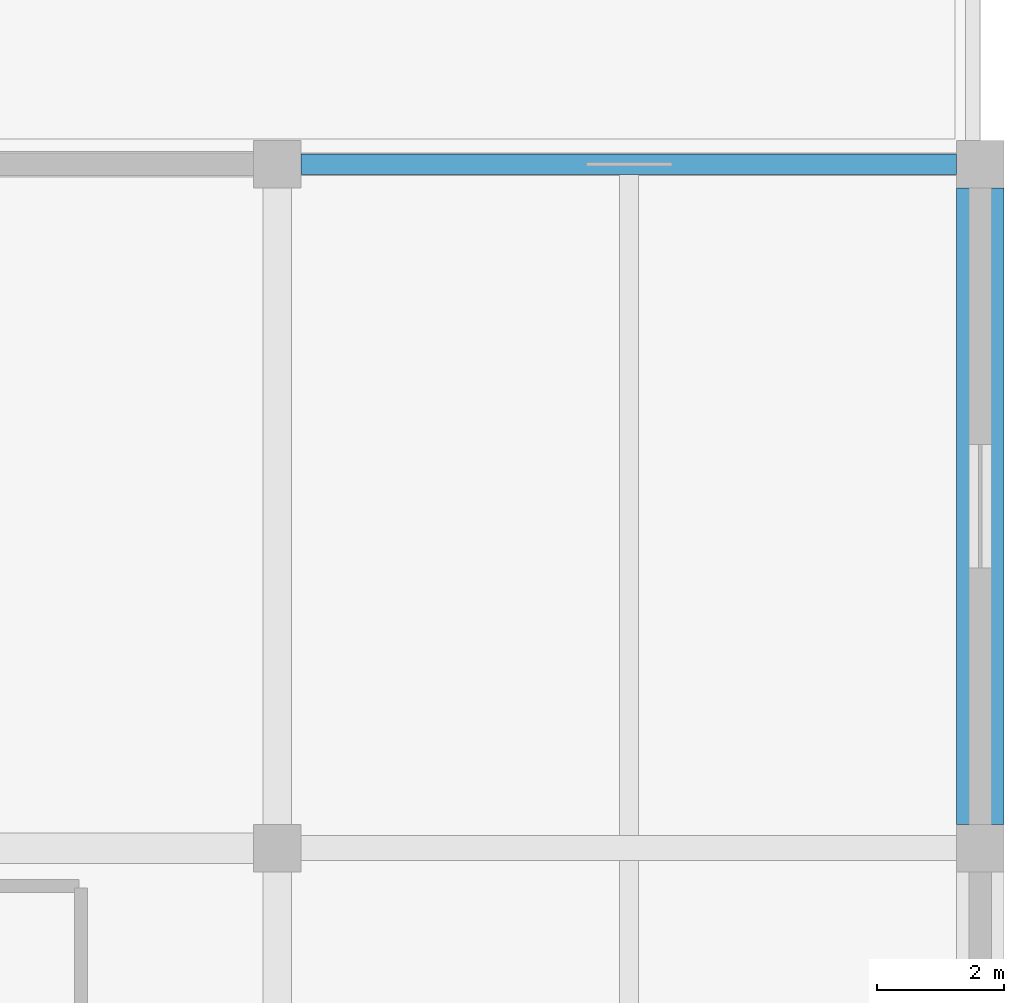
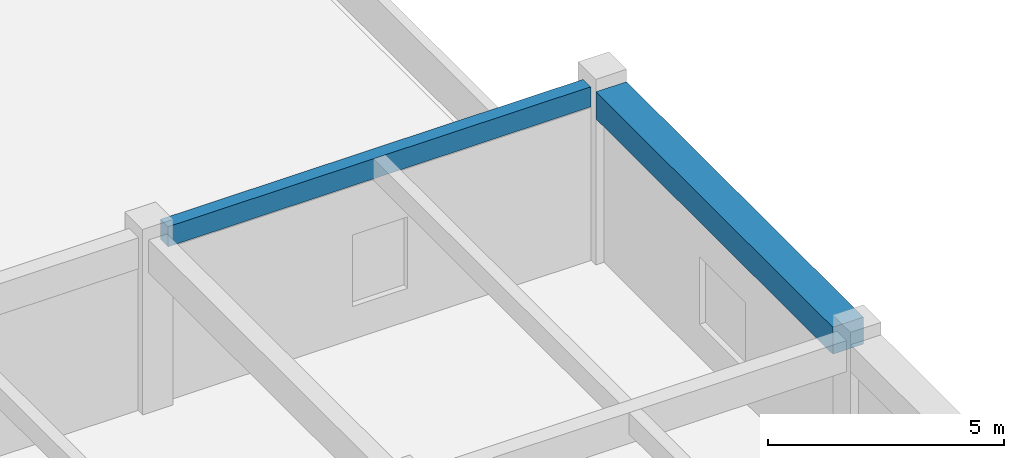
# One storey, part 33 of 68: 2 beams.
"""IFC4 building model written with IfcOpenShell, lengths in metres."""

from ifc_helpers import new_model, si_unit, direction, frame, origin, origin_2d, place, context, subcontext, project, spatial, rectangle, extrude, material, material_profile, profile_set, type_object, element, save


model = new_model("IFC4")

# Units and contexts
model_context = context("Model", 3, precision=1e-05, world=origin(), true_north=direction((0.0, 1.0)))
body_context = subcontext(model_context, "Body", "Model", "MODEL_VIEW")
ifc_project = project(units=[si_unit("LENGTHUNIT", "METRE"), si_unit("AREAUNIT", "SQUARE_METRE"), si_unit("VOLUMEUNIT", "CUBIC_METRE"), si_unit("PLANEANGLEUNIT", "RADIAN"), si_unit("MASSUNIT", "GRAM", prefix="KILO")], contexts=[model_context])

# Site, building, storey
site_placement = place(None, origin())
site = spatial("IfcSite", under=ifc_project, at=site_placement, CompositionType="ELEMENT")
building_placement = place(site_placement, origin())
building = spatial("IfcBuilding", under=site, at=building_placement, Name="Miralva Faculty of Natural Sciences", CompositionType="ELEMENT")
storey_placement = place(building_placement, frame((0.0, 0.0, 5.39990234375)))
storey = spatial("IfcBuildingStorey", under=building, at=storey_placement, Name="L01", CompositionType="ELEMENT", Elevation=5.39990234375)

# Beams
ifc_material = material(Name="Concrete C40/50", Category="concrete")
ifc_material_profile_1 = material_profile(ifc_material, rectangle(XDim=0.320068359375, YDim=0.52001953125, at=origin_2d()), Name="RC 320x520")
ifc_profile_set_1 = profile_set([ifc_material_profile_1], Name="Concrete C40/50")
beam_type_1 = type_object("IfcBeamType", Name="BM-BG01", PredefinedType="BEAM", material=ifc_profile_set_1)
beam_1_placement = place(storey_placement, frame((156.675048828125, 76.199951171875, 4.22021484375), z_axis=(1.0, 0.0, 0.0), x_axis=(0.0, 1.0, 0.0)))
element("IfcBeam", 1, at=beam_1_placement, inside=storey, type_object=beam_type_1, Name="Girder EW L01-65", PredefinedType="BEAM", context=body_context, shape_type="SweptSolid", body=[
    extrude(rectangle(XDim=0.320068359375, YDim=0.52001953125, at=origin_2d()), origin(), (0.0, 0.0, 1.0), 10.349853515625),
])
ifc_material_profile_2 = material_profile(ifc_material, rectangle(XDim=0.75, YDim=0.699951171875, at=origin_2d()), Name="RC 750x700")
ifc_profile_set_2 = profile_set([ifc_material_profile_2], Name="Concrete C40/50")
beam_type_2 = type_object("IfcBeamType", Name="BM-SP01", PredefinedType="SPANDREL", material=ifc_profile_set_2)
beam_2_placement = place(storey_placement, frame((167.39990234375, 65.77490234375, 4.130126953125), z_axis=(0.0, 1.0, 0.0), x_axis=(-1.0, 0.0, 0.0)))
element("IfcBeam", 2, at=beam_2_placement, inside=storey, type_object=beam_type_2, Name="Girder NS L01-187", PredefinedType="SPANDREL", context=body_context, shape_type="SweptSolid", body=[
    extrude(rectangle(XDim=0.75, YDim=0.699951171875, at=origin_2d()), origin(), (0.0, 0.0, 1.0), 10.050048828125),
])

save(model, "model.ifc")
